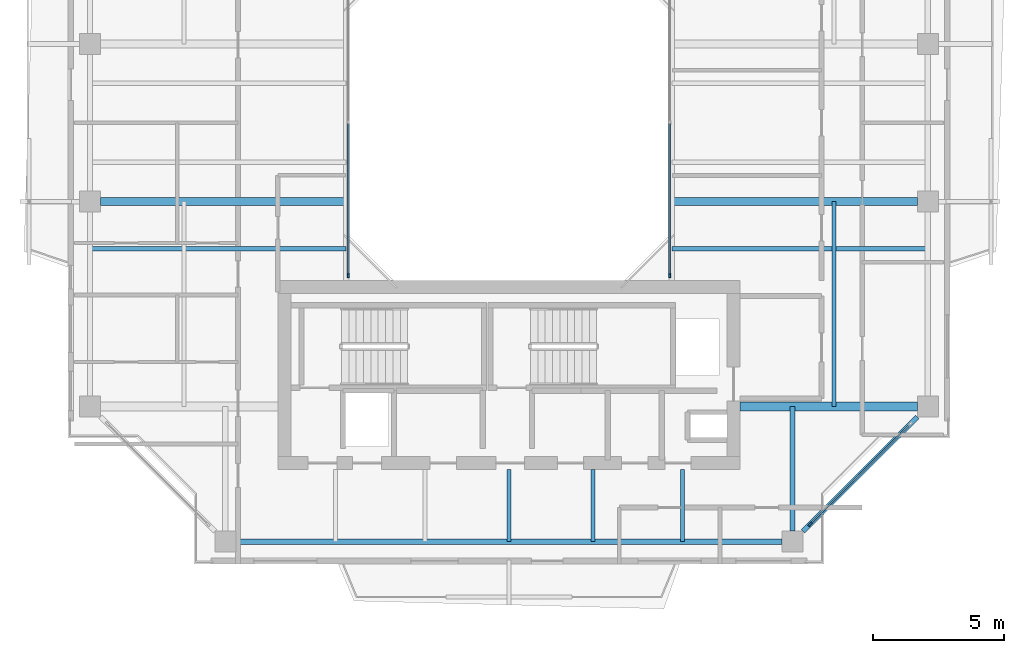
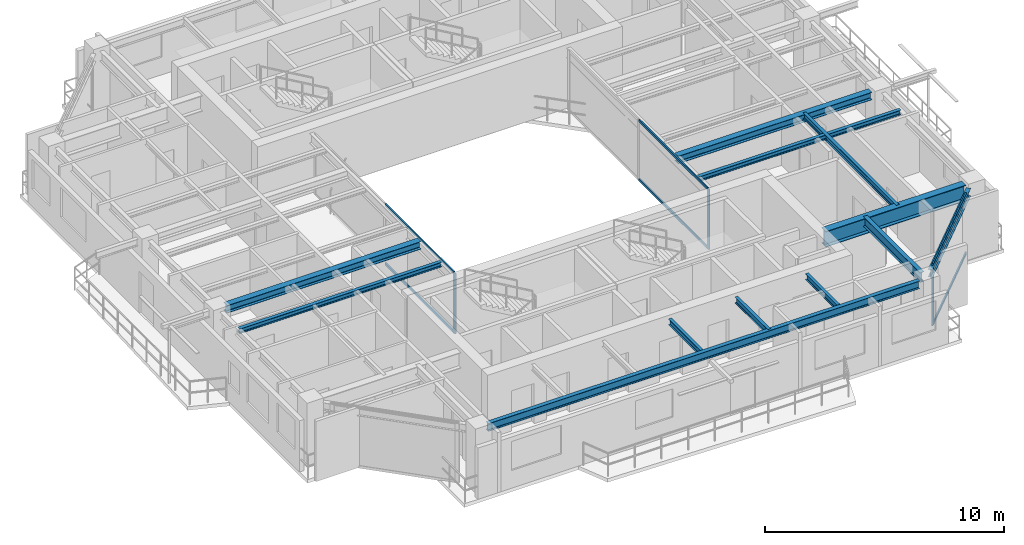
# One storey, part 4 of 16: 12 beams, 9 members, 3 elements without a shape of their own.
"""IFC4 building model written with IfcOpenShell, lengths in metres."""

from ifc_helpers import new_model, si_unit, direction, frame, origin, origin_2d, place, context, subcontext, project, spatial, rectangle, i_section, extrude, source, transform, mapped, material, layer, layer_set, material_profile, profile_set, type_object, element, aggregate, save


model = new_model("IFC4")

# Units and contexts
model_context = context("Model", 3, precision=1e-05, world=origin(), true_north=direction((0.0, 1.0)))
body_context = subcontext(model_context, "Body", "Model", "MODEL_VIEW")
ifc_project = project(units=[si_unit("LENGTHUNIT", "METRE"), si_unit("AREAUNIT", "SQUARE_METRE"), si_unit("VOLUMEUNIT", "CUBIC_METRE"), si_unit("PLANEANGLEUNIT", "RADIAN"), si_unit("MASSUNIT", "GRAM", prefix="KILO"), si_unit("THERMODYNAMICTEMPERATUREUNIT", "KELVIN"), si_unit("POWERUNIT", "WATT")], contexts=[model_context])

# Site, building, storey
site_placement = place(None, origin())
site = spatial("IfcSite", under=ifc_project, at=site_placement, CompositionType="ELEMENT")
building_placement = place(site_placement, origin())
building = spatial("IfcBuilding", under=site, at=building_placement, Name="Qiaomeng Ring Towers", CompositionType="ELEMENT")
storey_placement = place(building_placement, frame((0.0, 0.0, 210.0)))
storey = spatial("IfcBuildingStorey", under=building, at=storey_placement, Name="L61", CompositionType="ELEMENT", Elevation=210.0)

# Beams
ifc_material_1 = material(Name="Steel Q355B", Category="steel")
ifc_material_profile_1 = material_profile(ifc_material_1, i_section(OverallWidth=0.198974609375, OverallDepth=0.39599609375, WebThickness=0.007080078125, FlangeThickness=0.010986328125, FilletRadius=0.01611328125, at=origin_2d()), Name="HN 396x199x7x11")
ifc_profile_set_1 = profile_set([ifc_material_profile_1], Name="Steel Q355B")
beam_type_1 = type_object("IfcBeamType", Name="STR-BM-HN396", PredefinedType="SPANDREL", material=ifc_profile_set_1)
shared_shape_1 = source(origin(), body_context, "Body", "SweptSolid", [
    extrude(i_section(OverallWidth=0.198974609375, OverallDepth=0.39599609375, WebThickness=0.007080078125, FlangeThickness=0.010986328125, FilletRadius=0.01611328125, at=origin_2d()), origin(), (0.0, 0.0, 1.0), 20.8017578125),
])
beam_1_placement = place(storey_placement, frame((8.59912109375, 7.050048828125, 2.8720703125), z_axis=(1.0, 0.0, 0.0), x_axis=(0.0, 1.0, 0.0)))
element("IfcBeam", 1, at=beam_1_placement, inside=storey, type_object=beam_type_1, Name="L61 beam STR-SP-L61-T1-S1-S2", PredefinedType="SPANDREL", context=body_context, shape_type="MappedRepresentation", body=[
    mapped(shared_shape_1, transform((0.0, 0.0, 0.0), x_axis=(1.0, 0.0, 0.0), y_axis=(0.0, 1.0, 0.0), z_axis=(0.0, 0.0, 1.0), scale=1.0)),
])
shared_shape_2 = source(origin(), body_context, "Body", "SweptSolid", [
    extrude(i_section(OverallWidth=0.198974609375, OverallDepth=0.39599609375, WebThickness=0.007080078125, FlangeThickness=0.010986328125, FilletRadius=0.01611328125, at=origin_2d()), origin(), (0.0, 0.0, 1.0), 6.154052734375),
])
beam_2_placement = place(storey_placement, frame((30.19921875, 7.44921875, 2.8720703125), z_axis=(0.707106781187, 0.707106781187, 0.0), x_axis=(-0.707106781187, 0.707106781187, 0.0)))
element("IfcBeam", 2, at=beam_2_placement, inside=storey, type_object=beam_type_1, Name="L61 beam STR-SP-L61-T1-S2-E1", PredefinedType="SPANDREL", context=body_context, shape_type="MappedRepresentation", body=[
    mapped(shared_shape_2, transform((0.0, 0.0, 0.0), x_axis=(1.0, 0.0, 0.0), y_axis=(0.0, 1.0, 0.0), z_axis=(0.0, 0.0, 1.0), scale=1.0)),
])
ifc_material_2 = material(Name="Steel Q390GJC", Category="steel")
ifc_material_profile_2 = material_profile(ifc_material_2, i_section(OverallWidth=0.35009765625, OverallDepth=0.800048828125, WebThickness=0.01611328125, FlangeThickness=0.028076171875, at=origin_2d()), Name="WH 800x350x16x28")
ifc_profile_set_2 = profile_set([ifc_material_profile_2], Name="Steel Q390GJC")
beam_type_2 = type_object("IfcBeamType", Name="STR-BM-WH800", PredefinedType="BEAM", material=ifc_profile_set_2)
shared_shape_3 = source(origin(), body_context, "Body", "SweptSolid", [
    extrude(i_section(OverallWidth=0.35009765625, OverallDepth=0.800048828125, WebThickness=0.01611328125, FlangeThickness=0.028076171875, at=origin_2d()), origin(), (0.0, 0.0, 1.0), 6.7509765625),
])
beam_3_placement = place(storey_placement, frame((27.800048828125, 12.199951171875, 2.669921875), z_axis=(1.0, 0.0, 0.0), x_axis=(0.0, 1.0, 0.0)))
element("IfcBeam", 3, at=beam_3_placement, inside=storey, type_object=beam_type_2, Name="L61 beam STR-BM-L61-T1-RAD-E1", PredefinedType="BEAM", context=body_context, shape_type="MappedRepresentation", body=[
    mapped(shared_shape_3, transform((0.0, 0.0, 0.0), x_axis=(1.0, 0.0, 0.0), y_axis=(0.0, 1.0, 0.0), z_axis=(0.0, 0.0, 1.0), scale=1.0)),
])
ifc_material_profile_3 = material_profile(ifc_material_1, i_section(OverallWidth=0.300048828125, OverallDepth=0.389892578125, WebThickness=0.010009765625, FlangeThickness=0.01611328125, FilletRadius=0.02197265625, at=origin_2d()), Name="HM 390x300x10x16")
ifc_profile_set_3 = profile_set([ifc_material_profile_3], Name="Steel Q355B")
beam_type_3 = type_object("IfcBeamType", Name="STR-BM-HM390", PredefinedType="BEAM", material=ifc_profile_set_3)
shared_shape_4 = source(origin(), body_context, "Body", "SweptSolid", [
    extrude(i_section(OverallWidth=0.300048828125, OverallDepth=0.389892578125, WebThickness=0.010009765625, FlangeThickness=0.01611328125, FilletRadius=0.02197265625, at=origin_2d()), origin(), (0.0, 0.0, 1.0), 9.35107421875),
])
for number, where, z_axis, x_axis, name in (
    (4, (3.448974609375, 20.0, 2.875), (1.0, 0.0, 0.0), (0.0, 1.0, 0.0), "L61 beam STR-BM-L61-T1-RAD-W2"),
    (5, (25.199951171875, 20.0, 2.875), (1.0, 0.0, 0.0), (0.0, 1.0, 0.0), "L61 beam STR-BM-L61-T1-RAD-E2"),
):
    element("IfcBeam", number, at=place(storey_placement, frame(where, z_axis=z_axis, x_axis=x_axis)), inside=storey, type_object=beam_type_3, Name=name, PredefinedType="BEAM", context=body_context, shape_type="MappedRepresentation", body=[
        mapped(shared_shape_4, transform((0.0, 0.0, 0.0), x_axis=(1.0, 0.0, 0.0), y_axis=(0.0, 1.0, 0.0), z_axis=(0.0, 0.0, 1.0), scale=1.0)),
    ])
ifc_material_profile_4 = material_profile(ifc_material_1, i_section(OverallWidth=0.14990234375, OverallDepth=0.300048828125, WebThickness=0.006591796875, FlangeThickness=0.009033203125, FilletRadius=0.012939453125, at=origin_2d()), Name="HN 300x150x6.5x9")
ifc_profile_set_4 = profile_set([ifc_material_profile_4], Name="Steel Q355B")
beam_type_4 = type_object("IfcBeamType", Name="STR-BM-HN300", PredefinedType="JOIST", material=ifc_profile_set_4)
shared_shape_5 = source(origin(), body_context, "Body", "SweptSolid", [
    extrude(i_section(OverallWidth=0.14990234375, OverallDepth=0.300048828125, WebThickness=0.006591796875, FlangeThickness=0.009033203125, FilletRadius=0.012939453125, at=origin_2d()), origin(), (0.0, 0.0, 1.0), 2.75),
])
for number, where, z_axis, x_axis, name in (
    (6, (19.0, 7.050048828125, 2.919921875), (0.0, 1.0, 0.0), (-1.0, 0.0, 0.0), "L61 beam STR-JST-L61-T1S-3"),
    (7, (22.199951171875, 7.050048828125, 2.919921875), (0.0, 1.0, 0.0), (-1.0, 0.0, 0.0), "L61 beam STR-JST-L61-T1S-4"),
    (8, (25.60009765625, 7.050048828125, 2.919921875), (0.0, 1.0, 0.0), (-1.0, 0.0, 0.0), "L61 beam STR-JST-L61-T1S-5"),
):
    element("IfcBeam", number, at=place(storey_placement, frame(where, z_axis=z_axis, x_axis=x_axis)), inside=storey, type_object=beam_type_4, Name=name, PredefinedType="JOIST", context=body_context, shape_type="MappedRepresentation", body=[
        mapped(shared_shape_5, transform((0.0, 0.0, 0.0), x_axis=(1.0, 0.0, 0.0), y_axis=(0.0, 1.0, 0.0), z_axis=(0.0, 0.0, 1.0), scale=1.0)),
    ])
ifc_material_profile_5 = material_profile(ifc_material_1, i_section(OverallWidth=0.175048828125, OverallDepth=0.243896484375, WebThickness=0.007080078125, FlangeThickness=0.010986328125, FilletRadius=0.01611328125, at=origin_2d()), Name="HM 244x175x7x11")
ifc_profile_set_5 = profile_set([ifc_material_profile_5], Name="Steel Q355B")
beam_type_5 = type_object("IfcBeamType", Name="STR-BM-HM244", PredefinedType="JOIST", material=ifc_profile_set_5)
shared_shape_6 = source(origin(), body_context, "Body", "SweptSolid", [
    extrude(i_section(OverallWidth=0.175048828125, OverallDepth=0.243896484375, WebThickness=0.007080078125, FlangeThickness=0.010986328125, FilletRadius=0.01611328125, at=origin_2d()), origin(), (0.0, 0.0, 1.0), 9.75),
])
for number, where, z_axis, x_axis, name in (
    (9, (3.050048828125, 18.199951171875, 2.947998046875), (1.0, 0.0, 0.0), (0.0, 1.0, 0.0), "L61 beam STR-JST-L61-T1W-1"),
    (10, (25.199951171875, 18.199951171875, 2.947998046875), (1.0, 0.0, 0.0), (0.0, 1.0, 0.0), "L61 beam STR-JST-L61-T1E-1"),
):
    element("IfcBeam", number, at=place(storey_placement, frame(where, z_axis=z_axis, x_axis=x_axis)), inside=storey, type_object=beam_type_5, Name=name, PredefinedType="JOIST", context=body_context, shape_type="MappedRepresentation", body=[
        mapped(shared_shape_6, transform((0.0, 0.0, 0.0), x_axis=(1.0, 0.0, 0.0), y_axis=(0.0, 1.0, 0.0), z_axis=(0.0, 0.0, 1.0), scale=1.0)),
    ])
shared_shape_7 = source(origin(), body_context, "Body", "SweptSolid", [
    extrude(i_section(OverallWidth=0.14990234375, OverallDepth=0.300048828125, WebThickness=0.006591796875, FlangeThickness=0.009033203125, FilletRadius=0.012939453125, at=origin_2d()), origin(), (0.0, 0.0, 1.0), 7.800048828125),
])
beam_4_placement = place(storey_placement, frame((31.375, 12.199951171875, 2.919921875), z_axis=(0.0, 1.0, 0.0), x_axis=(-1.0, 0.0, 0.0)))
element("IfcBeam", 11, at=beam_4_placement, inside=storey, type_object=beam_type_4, Name="L61 beam STR-JST-L61-T1C-ES", PredefinedType="JOIST", context=body_context, shape_type="MappedRepresentation", body=[
    mapped(shared_shape_7, transform((0.0, 0.0, 0.0), x_axis=(1.0, 0.0, 0.0), y_axis=(0.0, 1.0, 0.0), z_axis=(0.0, 0.0, 1.0), scale=1.0)),
])
ifc_material_profile_6 = material_profile(ifc_material_1, i_section(OverallWidth=0.198974609375, OverallDepth=0.49609375, WebThickness=0.009033203125, FlangeThickness=0.013916015625, FilletRadius=0.01806640625, at=origin_2d()), Name="HN 496x199x9x14")
ifc_profile_set_6 = profile_set([ifc_material_profile_6], Name="Steel Q355B")
beam_type_6 = type_object("IfcBeamType", Name="STR-BM-HN496", PredefinedType="BEAM", material=ifc_profile_set_6)
shared_shape_8 = source(origin(), body_context, "Body", "SweptSolid", [
    extrude(i_section(OverallWidth=0.198974609375, OverallDepth=0.49609375, WebThickness=0.009033203125, FlangeThickness=0.013916015625, FilletRadius=0.01806640625, at=origin_2d()), origin(), (0.0, 0.0, 1.0), 4.7509765625),
])
beam_5_placement = place(storey_placement, frame((29.800048828125, 7.448974609375, 2.822021484375), z_axis=(0.0, 1.0, 0.0), x_axis=(-1.0, 0.0, 0.0)))
element("IfcBeam", 12, at=beam_5_placement, inside=storey, type_object=beam_type_6, Name="L61 beam STR-BM-L61-T1-RAD-S2", PredefinedType="BEAM", context=body_context, shape_type="MappedRepresentation", body=[
    mapped(shared_shape_8, transform((0.0, 0.0, 0.0), x_axis=(1.0, 0.0, 0.0), y_axis=(0.0, 1.0, 0.0), z_axis=(0.0, 0.0, 1.0), scale=1.0)),
])

# Curtain wall, member
ifc_material_3 = material(Name="Fluorocarbon dark-grey aluminium", Category="aluminium")
ifc_layer_1 = layer(ifc_material_3, 0.139892578125, Name="Fluorocarbon dark-grey aluminium")
ifc_layer_set_1 = layer_set([ifc_layer_1], Name="Fluorocarbon dark-grey aluminium")
curtain_wall_type_1 = type_object("IfcCurtainWallType", Name="ARC-CW-4", PredefinedType="NOTDEFINED", material=ifc_layer_set_1)
curtain_wall_1_placement = place(storey_placement, origin())
curtain_wall_1 = element("IfcCurtainWall", 13, at=curtain_wall_1_placement, inside=storey, type_object=curtain_wall_type_1, Name="L61 Curtain Wall CW4", PredefinedType="NOTDEFINED")
ifc_material_profile_7 = material_profile(ifc_material_3, rectangle(XDim=0.06494140625, YDim=0.159912109375, at=origin_2d()), Name="ALU MULL 65x160")
ifc_profile_set_7 = profile_set([ifc_material_profile_7], Name="Fluorocarbon dark-grey aluminium")
member_type_1 = type_object("IfcMemberType", Name="ARC-CWM-140", PredefinedType="MULLION", material=ifc_profile_set_7)
shared_shape_9 = source(origin(), body_context, "Body", "SweptSolid", [
    extrude(rectangle(XDim=0.06494140625, YDim=0.159912109375, at=origin_2d()), origin(), (0.0, 0.0, 1.0), 3.070068359375),
])
member_1_placement = place(storey_placement, frame((12.8798828125, 17.1826171875, 0.0), z_axis=(0.0, 0.0, 1.0), x_axis=(-1.0, 0.0, 0.0)))
member_1 = element("IfcMember", 14, at=member_1_placement, type_object=member_type_1, Name="CW4 mullion 1", PredefinedType="MULLION", context=body_context, shape_type="MappedRepresentation", body=[
    mapped(shared_shape_9, transform((0.0, 0.0, 0.0), x_axis=(1.0, 0.0, 0.0), y_axis=(0.0, 1.0, 0.0), z_axis=(0.0, 0.0, 1.0), scale=1.0)),
])

curtain_wall_2_placement = place(storey_placement, origin())
curtain_wall_2 = element("IfcCurtainWall", 15, at=curtain_wall_2_placement, inside=storey, type_object=curtain_wall_type_1, Name="L61 Curtain Wall CW4", PredefinedType="NOTDEFINED")
member_2_placement = place(storey_placement, frame((25.1201171875, 17.1826171875, 0.0), z_axis=(0.0, 0.0, 1.0), x_axis=(-1.0, 0.0, 0.0)))
member_2 = element("IfcMember", 16, at=member_2_placement, type_object=member_type_1, Name="CW4 mullion 1", PredefinedType="MULLION", context=body_context, shape_type="MappedRepresentation", body=[
    mapped(shared_shape_9, transform((0.0, 0.0, 0.0), x_axis=(1.0, 0.0, 0.0), y_axis=(0.0, 1.0, 0.0), z_axis=(0.0, 0.0, 1.0), scale=1.0)),
])

# Member
ifc_material_profile_8 = material_profile(ifc_material_3, rectangle(XDim=0.06494140625, YDim=0.1298828125, at=origin_2d()), Name="ALU TRAN 65x130")
ifc_profile_set_8 = profile_set([ifc_material_profile_8], Name="Fluorocarbon dark-grey aluminium")
member_type_2 = type_object("IfcMemberType", Name="ARC-CWT-120", PredefinedType="USERDEFINED", material=ifc_profile_set_8)
shared_shape_10 = source(origin(), body_context, "Body", "SweptSolid", [
    extrude(rectangle(XDim=0.06494140625, YDim=0.1298828125, at=origin_2d()), origin(), (0.0, 0.0, 1.0), 5.75244140625),
])
member_3_placement = place(storey_placement, frame((12.8798828125, 17.215087890625, 0.032470703125), z_axis=(0.0, 1.0, 0.0), x_axis=(-1.0, 0.0, 0.0)))
member_3 = element("IfcMember", 17, at=member_3_placement, type_object=member_type_2, Name="CW4 transom 1.1", ObjectType="TRANSOM", PredefinedType="USERDEFINED", context=body_context, shape_type="MappedRepresentation", body=[
    mapped(shared_shape_10, transform((0.0, 0.0, 0.0), x_axis=(1.0, 0.0, 0.0), y_axis=(0.0, 1.0, 0.0), z_axis=(0.0, 0.0, 1.0), scale=1.0)),
])

member_4_placement = place(storey_placement, frame((12.8798828125, 17.215087890625, 3.03759765625), z_axis=(0.0, 1.0, 0.0), x_axis=(-1.0, 0.0, 0.0)))
member_4 = element("IfcMember", 18, at=member_4_placement, type_object=member_type_2, Name="CW4 transom 1.2", ObjectType="TRANSOM", PredefinedType="USERDEFINED", context=body_context, shape_type="MappedRepresentation", body=[
    mapped(shared_shape_10, transform((0.0, 0.0, 0.0), x_axis=(1.0, 0.0, 0.0), y_axis=(0.0, 1.0, 0.0), z_axis=(0.0, 0.0, 1.0), scale=1.0)),
])

aggregate(curtain_wall_1, [member_1, member_3, member_4])

member_5_placement = place(storey_placement, frame((25.1201171875, 17.215087890625, 0.032470703125), z_axis=(0.0, 1.0, 0.0), x_axis=(-1.0, 0.0, 0.0)))
member_5 = element("IfcMember", 19, at=member_5_placement, type_object=member_type_2, Name="CW4 transom 1.1", ObjectType="TRANSOM", PredefinedType="USERDEFINED", context=body_context, shape_type="MappedRepresentation", body=[
    mapped(shared_shape_10, transform((0.0, 0.0, 0.0), x_axis=(1.0, 0.0, 0.0), y_axis=(0.0, 1.0, 0.0), z_axis=(0.0, 0.0, 1.0), scale=1.0)),
])

member_6_placement = place(storey_placement, frame((25.1201171875, 17.215087890625, 3.03759765625), z_axis=(0.0, 1.0, 0.0), x_axis=(-1.0, 0.0, 0.0)))
member_6 = element("IfcMember", 20, at=member_6_placement, type_object=member_type_2, Name="CW4 transom 1.2", ObjectType="TRANSOM", PredefinedType="USERDEFINED", context=body_context, shape_type="MappedRepresentation", body=[
    mapped(shared_shape_10, transform((0.0, 0.0, 0.0), x_axis=(1.0, 0.0, 0.0), y_axis=(0.0, 1.0, 0.0), z_axis=(0.0, 0.0, 1.0), scale=1.0)),
])

aggregate(curtain_wall_2, [member_2, member_5, member_6])

# Curtain wall, members
ifc_layer_2 = layer(ifc_material_3, 0.14990234375, Name="Fluorocarbon dark-grey aluminium")
ifc_layer_set_2 = layer_set([ifc_layer_2], Name="Fluorocarbon dark-grey aluminium")
curtain_wall_type_2 = type_object("IfcCurtainWallType", Name="ARC-CW-3", PredefinedType="NOTDEFINED", material=ifc_layer_set_2)
curtain_wall_3_placement = place(storey_placement, origin())
curtain_wall_3 = element("IfcCurtainWall", 21, at=curtain_wall_3_placement, inside=storey, type_object=curtain_wall_type_2, Name="L61 Curtain Wall CW3", PredefinedType="NOTDEFINED")
ifc_material_profile_9 = material_profile(ifc_material_3, rectangle(XDim=0.070068359375, YDim=0.179931640625, at=origin_2d()), Name="ALU MULL 70x180")
ifc_profile_set_9 = profile_set([ifc_material_profile_9], Name="Fluorocarbon dark-grey aluminium")
member_type_3 = type_object("IfcMemberType", Name="ARC-CWM-160", PredefinedType="MULLION", material=ifc_profile_set_9)
shared_shape_11 = source(origin(), body_context, "Body", "SweptSolid", [
    extrude(rectangle(XDim=0.070068359375, YDim=0.179931640625, at=origin_2d()), origin(), (0.0, 0.0, 1.0), 3.070068359375),
])
member_7_placement = place(storey_placement, frame((30.46484375, 7.71484375, 0.0), z_axis=(0.0, 0.0, 1.0), x_axis=(-0.707106781187, 0.707106781187, 0.0)))
member_7 = element("IfcMember", 22, at=member_7_placement, type_object=member_type_3, Name="CW3 mullion 1", PredefinedType="MULLION", context=body_context, shape_type="MappedRepresentation", body=[
    mapped(shared_shape_11, transform((0.0, 0.0, 0.0), x_axis=(1.0, 0.0, 0.0), y_axis=(0.0, 1.0, 0.0), z_axis=(0.0, 0.0, 1.0), scale=1.0)),
])
shared_shape_12 = source(origin(), body_context, "Body", "SweptSolid", [
    extrude(rectangle(XDim=0.06494140625, YDim=0.1298828125, at=origin_2d()), origin(), (0.0, 0.0, 1.0), 5.3330078125),
])
member_8_placement = place(storey_placement, frame((30.489501953125, 7.739501953125, 0.032470703125), z_axis=(0.707106781187, 0.707106781187, 0.0), x_axis=(-0.707106781187, 0.707106781187, 0.0)))
member_8 = element("IfcMember", 23, at=member_8_placement, type_object=member_type_2, Name="CW3 transom 1.1", ObjectType="TRANSOM", PredefinedType="USERDEFINED", context=body_context, shape_type="MappedRepresentation", body=[
    mapped(shared_shape_12, transform((0.0, 0.0, 0.0), x_axis=(1.0, 0.0, 0.0), y_axis=(0.0, 1.0, 0.0), z_axis=(0.0, 0.0, 1.0), scale=1.0)),
])
member_9_placement = place(storey_placement, frame((30.489501953125, 7.739501953125, 3.03759765625), z_axis=(0.707106781187, 0.707106781187, 0.0), x_axis=(-0.707106781187, 0.707106781187, 0.0)))
member_9 = element("IfcMember", 24, at=member_9_placement, type_object=member_type_2, Name="CW3 transom 1.2", ObjectType="TRANSOM", PredefinedType="USERDEFINED", context=body_context, shape_type="MappedRepresentation", body=[
    mapped(shared_shape_12, transform((0.0, 0.0, 0.0), x_axis=(1.0, 0.0, 0.0), y_axis=(0.0, 1.0, 0.0), z_axis=(0.0, 0.0, 1.0), scale=1.0)),
])
aggregate(curtain_wall_3, [member_7, member_8, member_9])

save(model, "model.ifc")
